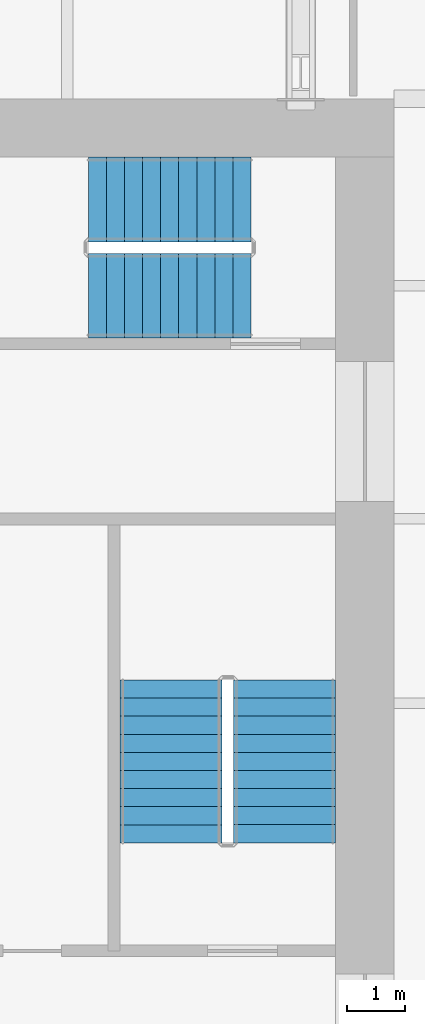
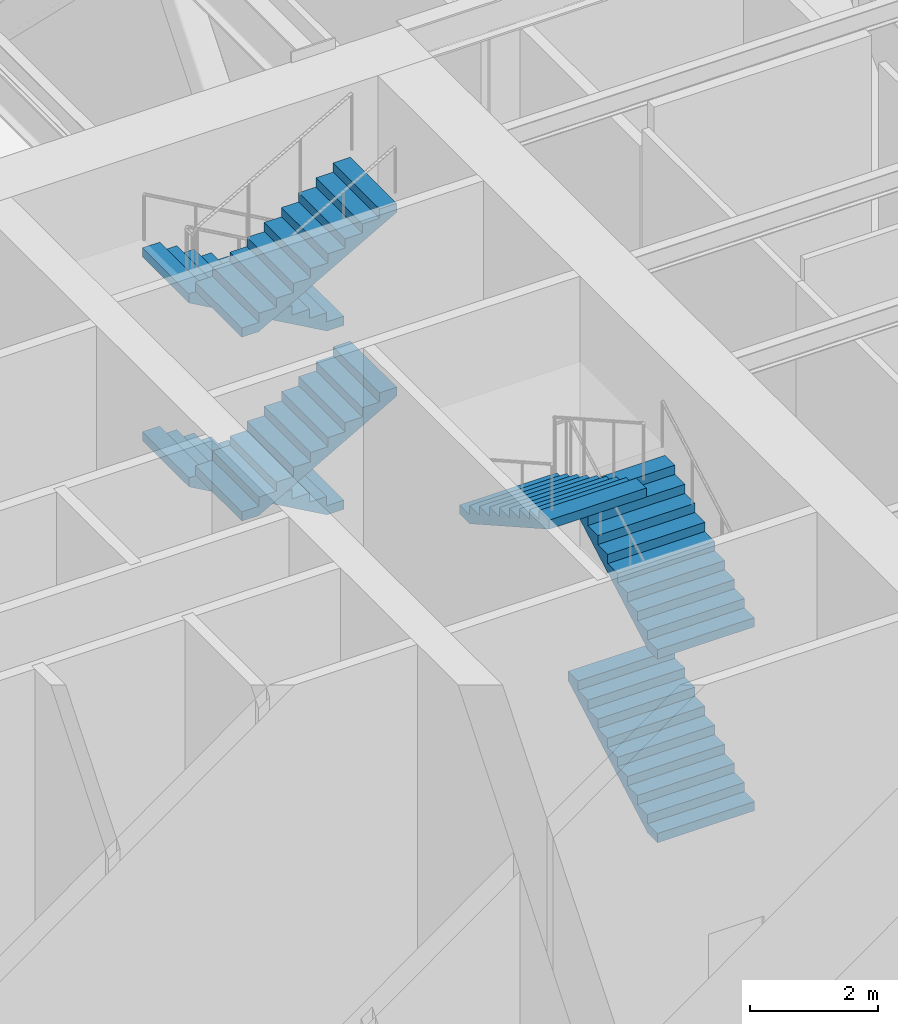
# One storey, part 13 of 16: 7 stair flights, 2 elements without a shape of their own.
"""IFC4 building model written with IfcOpenShell, lengths in metres."""

from ifc_helpers import new_model, si_unit, direction, frame, origin, place, context, subcontext, project, spatial, polyline, outline, extrude, material, type_object, element, aggregate, save


model = new_model("IFC4")

# Units and contexts
model_context = context("Model", 3, precision=1e-05, world=origin(), true_north=direction((0.0, 1.0)))
body_context = subcontext(model_context, "Body", "Model", "MODEL_VIEW")
ifc_project = project(units=[si_unit("LENGTHUNIT", "METRE"), si_unit("AREAUNIT", "SQUARE_METRE"), si_unit("VOLUMEUNIT", "CUBIC_METRE"), si_unit("PLANEANGLEUNIT", "RADIAN"), si_unit("MASSUNIT", "GRAM", prefix="KILO")], contexts=[model_context])

# Site, building, storey
site_placement = place(None, origin())
site = spatial("IfcSite", under=ifc_project, at=site_placement, CompositionType="ELEMENT")
building_placement = place(site_placement, origin())
building = spatial("IfcBuilding", under=site, at=building_placement, Name="Verdant Reach Tower", CompositionType="ELEMENT")
storey_placement = place(building_placement, frame((0.0, 0.0, 170.0)))
storey = spatial("IfcBuildingStorey", under=building, at=storey_placement, Name="L39 Plant", CompositionType="ELEMENT", Elevation=170.0)

# Stair, stair flights
ifc_material = material(Name="Concrete C40/50", Category="concrete")
stair_type = type_object("IfcStairType", Name="CO-STAIR", PredefinedType="HALF_TURN_STAIR", material=ifc_material)
stair_1_placement = place(storey_placement, origin())
stair_1 = element("IfcStair", 1, at=stair_1_placement, inside=storey, type_object=stair_type, Name="L39 Plant Exit stair 2", PredefinedType="HALF_TURN_STAIR")
stair_flight_type = type_object("IfcStairFlightType", Name="CO-STAIR-FLIGHT", PredefinedType="STRAIGHT", material=ifc_material)
stair_flight_1_placement = place(storey_placement, frame((11.72509765625, 25.85009765625, 0.0), z_axis=(0.0, 0.0, 1.0), x_axis=(0.0, 1.0, 0.0)))
stair_flight_1 = element("IfcStairFlight", 2, at=stair_flight_1_placement, type_object=stair_flight_type, Name="ST-2 flight 1", NumberOfRisers=10, NumberOfTreads=9, PredefinedType="STRAIGHT", RiserHeight=0.175, TreadLength=0.31, context=body_context, shape_type="SweptSolid", body=[
    extrude(outline(polyline([(0.0, 0.0), (0.0, 0.175048828125), (0.31005859375, 0.175048828125), (0.31005859375, 0.35009765625), (0.6201171875, 0.35009765625), (0.6201171875, 0.52490234375), (0.929931640625, 0.52490234375), (0.929931640625, 0.699951171875), (1.239990234375, 0.699951171875), (1.239990234375, 0.875), (1.550048828125, 0.875), (1.550048828125, 1.050048828125), (1.860107421875, 1.050048828125), (1.860107421875, 1.22509765625), (2.169921875, 1.22509765625), (2.169921875, 1.39990234375), (2.47998046875, 1.39990234375), (2.47998046875, 1.574951171875), (2.7900390625, 1.574951171875), (2.7900390625, 1.75), (2.7900390625, 1.40283203125), (0.304931640625, 0.0), (0.0, 0.0)])), frame((0.0, 0.875, 0.0), z_axis=(0.0, -1.0, 0.0), x_axis=(1.0, 0.0, 0.0)), (0.0, 0.0, 1.0), 1.75),
])
stair_flight_2_placement = place(storey_placement, frame((11.72509765625, 25.85009765625, 3.5), z_axis=(0.0, 0.0, 1.0), x_axis=(0.0, 1.0, 0.0)))
stair_flight_2 = element("IfcStairFlight", 3, at=stair_flight_2_placement, type_object=stair_flight_type, Name="ST-2 flight 3", NumberOfRisers=10, NumberOfTreads=9, PredefinedType="STRAIGHT", RiserHeight=0.175, TreadLength=0.31, context=body_context, shape_type="SweptSolid", body=[
    extrude(outline(polyline([(0.0, 0.0), (0.0, 0.175048828125), (0.31005859375, 0.175048828125), (0.31005859375, 0.35009765625), (0.6201171875, 0.35009765625), (0.6201171875, 0.52490234375), (0.929931640625, 0.52490234375), (0.929931640625, 0.699951171875), (1.239990234375, 0.699951171875), (1.239990234375, 0.875), (1.550048828125, 0.875), (1.550048828125, 1.050048828125), (1.860107421875, 1.050048828125), (1.860107421875, 1.22509765625), (2.169921875, 1.22509765625), (2.169921875, 1.39990234375), (2.47998046875, 1.39990234375), (2.47998046875, 1.574951171875), (2.7900390625, 1.574951171875), (2.7900390625, 1.75), (2.7900390625, 1.40283203125), (0.304931640625, 0.0), (0.0, 0.0)])), frame((0.0, 0.875, 0.0), z_axis=(0.0, -1.0, 0.0), x_axis=(1.0, 0.0, 0.0)), (0.0, 0.0, 1.0), 1.75),
])
stair_flight_3_placement = place(storey_placement, frame((9.77490234375, 28.639892578125, 5.25), z_axis=(0.0, 0.0, 1.0), x_axis=(0.0, -1.0, 0.0)))
stair_flight_3 = element("IfcStairFlight", 4, at=stair_flight_3_placement, type_object=stair_flight_type, Name="ST-2 flight 4", NumberOfRisers=10, NumberOfTreads=9, PredefinedType="STRAIGHT", RiserHeight=0.175, TreadLength=0.31, context=body_context, shape_type="SweptSolid", body=[
    extrude(outline(polyline([(0.0, 0.0), (0.0, 0.175048828125), (0.31005859375, 0.175048828125), (0.31005859375, 0.35009765625), (0.6201171875, 0.35009765625), (0.6201171875, 0.52490234375), (0.929931640625, 0.52490234375), (0.929931640625, 0.699951171875), (1.239990234375, 0.699951171875), (1.239990234375, 0.875), (1.550048828125, 0.875), (1.550048828125, 1.050048828125), (1.860107421875, 1.050048828125), (1.860107421875, 1.22509765625), (2.169921875, 1.22509765625), (2.169921875, 1.39990234375), (2.47998046875, 1.39990234375), (2.47998046875, 1.574951171875), (2.7900390625, 1.574951171875), (2.7900390625, 1.75), (2.7900390625, 1.40283203125), (0.304931640625, 0.0), (0.0, 0.0)])), frame((0.0, 0.875, 0.0), z_axis=(0.0, -1.0, 0.0), x_axis=(1.0, 0.0, 0.0)), (0.0, 0.0, 1.0), 1.75),
])
aggregate(stair_1, [stair_flight_1, stair_flight_2, stair_flight_3])

stair_2_placement = place(storey_placement, origin())
stair_2 = element("IfcStair", 5, at=stair_2_placement, inside=storey, type_object=stair_type, Name="L39 Plant Exit stair 3", PredefinedType="HALF_TURN_STAIR")
stair_flight_4_placement = place(storey_placement, frame((11.14990234375, 36.875, 0.0), z_axis=(0.0, 0.0, 1.0), x_axis=(-1.0, 0.0, 0.0)))
stair_flight_4 = element("IfcStairFlight", 6, at=stair_flight_4_placement, type_object=stair_flight_type, Name="ST-3 flight 1", NumberOfRisers=10, NumberOfTreads=9, PredefinedType="STRAIGHT", RiserHeight=0.175, TreadLength=0.31, context=body_context, shape_type="SweptSolid", body=[
    extrude(outline(polyline([(0.0, 0.0), (0.0, 0.175048828125), (0.31005859375, 0.175048828125), (0.31005859375, 0.35009765625), (0.6201171875, 0.35009765625), (0.6201171875, 0.52490234375), (0.929931640625, 0.52490234375), (0.929931640625, 0.699951171875), (1.239990234375, 0.699951171875), (1.239990234375, 0.875), (1.550048828125, 0.875), (1.550048828125, 1.050048828125), (1.860107421875, 1.050048828125), (1.860107421875, 1.22509765625), (2.169921875, 1.22509765625), (2.169921875, 1.39990234375), (2.47998046875, 1.39990234375), (2.47998046875, 1.574951171875), (2.7900390625, 1.574951171875), (2.7900390625, 1.75), (2.7900390625, 1.40283203125), (0.304931640625, 0.0), (0.0, 0.0)])), frame((0.0, 0.72509765625, 0.0), z_axis=(0.0, -1.0, 0.0), x_axis=(1.0, 0.0, 0.0)), (0.0, 0.0, 1.0), 1.449951171875),
])
stair_flight_5_placement = place(storey_placement, frame((8.360107421875, 35.22509765625, 1.75), z_axis=(0.0, 0.0, 1.0), x_axis=(1.0, 0.0, 0.0)))
stair_flight_5 = element("IfcStairFlight", 7, at=stair_flight_5_placement, type_object=stair_flight_type, Name="ST-3 flight 2", NumberOfRisers=10, NumberOfTreads=9, PredefinedType="STRAIGHT", RiserHeight=0.175, TreadLength=0.31, context=body_context, shape_type="SweptSolid", body=[
    extrude(outline(polyline([(0.0, 0.0), (0.0, 0.175048828125), (0.31005859375, 0.175048828125), (0.31005859375, 0.35009765625), (0.6201171875, 0.35009765625), (0.6201171875, 0.52490234375), (0.929931640625, 0.52490234375), (0.929931640625, 0.699951171875), (1.239990234375, 0.699951171875), (1.239990234375, 0.875), (1.550048828125, 0.875), (1.550048828125, 1.050048828125), (1.860107421875, 1.050048828125), (1.860107421875, 1.22509765625), (2.169921875, 1.22509765625), (2.169921875, 1.39990234375), (2.47998046875, 1.39990234375), (2.47998046875, 1.574951171875), (2.7900390625, 1.574951171875), (2.7900390625, 1.75), (2.7900390625, 1.40283203125), (0.304931640625, 0.0), (0.0, 0.0)])), frame((0.0, 0.72509765625, 0.0), z_axis=(0.0, -1.0, 0.0), x_axis=(1.0, 0.0, 0.0)), (0.0, 0.0, 1.0), 1.449951171875),
])
stair_flight_6_placement = place(storey_placement, frame((11.14990234375, 36.875, 3.5), z_axis=(0.0, 0.0, 1.0), x_axis=(-1.0, 0.0, 0.0)))
stair_flight_6 = element("IfcStairFlight", 8, at=stair_flight_6_placement, type_object=stair_flight_type, Name="ST-3 flight 3", NumberOfRisers=10, NumberOfTreads=9, PredefinedType="STRAIGHT", RiserHeight=0.175, TreadLength=0.31, context=body_context, shape_type="SweptSolid", body=[
    extrude(outline(polyline([(0.0, 0.0), (0.0, 0.175048828125), (0.31005859375, 0.175048828125), (0.31005859375, 0.35009765625), (0.6201171875, 0.35009765625), (0.6201171875, 0.52490234375), (0.929931640625, 0.52490234375), (0.929931640625, 0.699951171875), (1.239990234375, 0.699951171875), (1.239990234375, 0.875), (1.550048828125, 0.875), (1.550048828125, 1.050048828125), (1.860107421875, 1.050048828125), (1.860107421875, 1.22509765625), (2.169921875, 1.22509765625), (2.169921875, 1.39990234375), (2.47998046875, 1.39990234375), (2.47998046875, 1.574951171875), (2.7900390625, 1.574951171875), (2.7900390625, 1.75), (2.7900390625, 1.40283203125), (0.304931640625, 0.0), (0.0, 0.0)])), frame((0.0, 0.72509765625, 0.0), z_axis=(0.0, -1.0, 0.0), x_axis=(1.0, 0.0, 0.0)), (0.0, 0.0, 1.0), 1.449951171875),
])
stair_flight_7_placement = place(storey_placement, frame((8.360107421875, 35.22509765625, 5.25), z_axis=(0.0, 0.0, 1.0), x_axis=(1.0, 0.0, 0.0)))
stair_flight_7 = element("IfcStairFlight", 9, at=stair_flight_7_placement, type_object=stair_flight_type, Name="ST-3 flight 4", NumberOfRisers=10, NumberOfTreads=9, PredefinedType="STRAIGHT", RiserHeight=0.175, TreadLength=0.31, context=body_context, shape_type="SweptSolid", body=[
    extrude(outline(polyline([(0.0, 0.0), (0.0, 0.175048828125), (0.31005859375, 0.175048828125), (0.31005859375, 0.35009765625), (0.6201171875, 0.35009765625), (0.6201171875, 0.52490234375), (0.929931640625, 0.52490234375), (0.929931640625, 0.699951171875), (1.239990234375, 0.699951171875), (1.239990234375, 0.875), (1.550048828125, 0.875), (1.550048828125, 1.050048828125), (1.860107421875, 1.050048828125), (1.860107421875, 1.22509765625), (2.169921875, 1.22509765625), (2.169921875, 1.39990234375), (2.47998046875, 1.39990234375), (2.47998046875, 1.574951171875), (2.7900390625, 1.574951171875), (2.7900390625, 1.75), (2.7900390625, 1.40283203125), (0.304931640625, 0.0), (0.0, 0.0)])), frame((0.0, 0.72509765625, 0.0), z_axis=(0.0, -1.0, 0.0), x_axis=(1.0, 0.0, 0.0)), (0.0, 0.0, 1.0), 1.449951171875),
])
aggregate(stair_2, [stair_flight_4, stair_flight_5, stair_flight_6, stair_flight_7])

save(model, "model.ifc")
